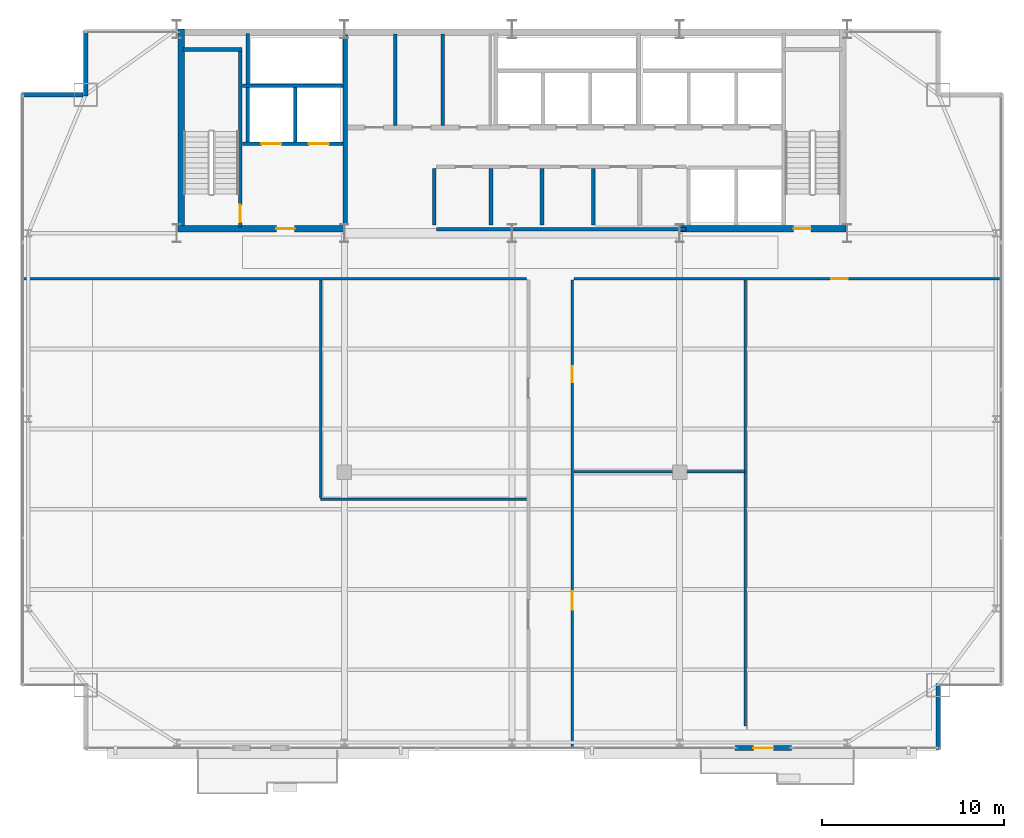
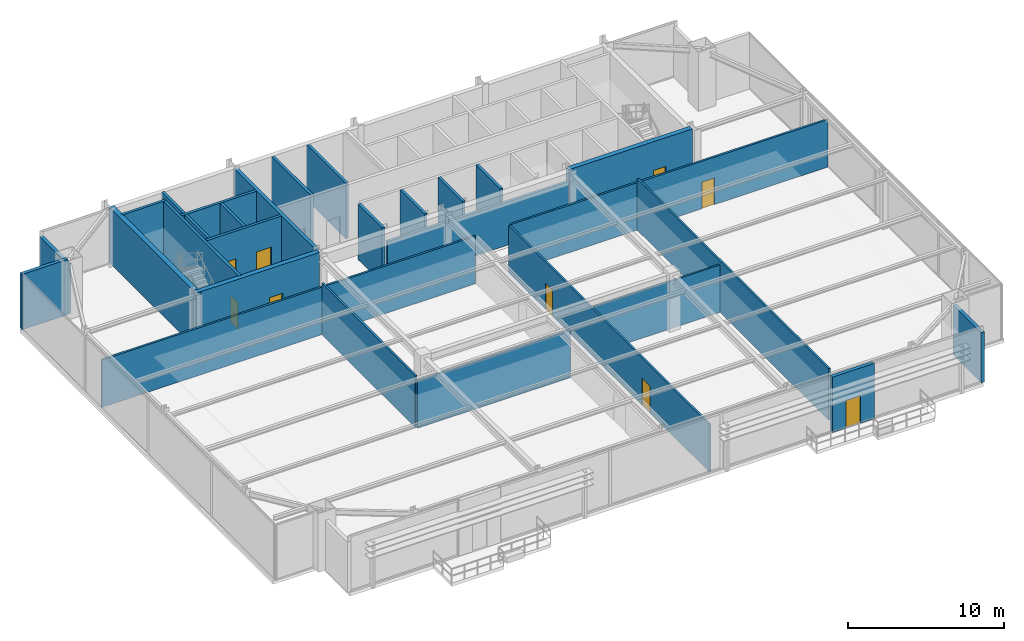
# One storey, part 21 of 25: 28 walls, 9 doors, 9 openings.
"""IFC4 building model written with IfcOpenShell, lengths in metres."""

from ifc_helpers import new_model, si_unit, direction, frame, frame_2d, origin, place, context, subcontext, project, spatial, rectangle, extrude, source, transform, mapped, material, layer, layer_set, type_object, type_shapes, element, fill, save


model = new_model("IFC4")

# Units and contexts
model_context = context("Model", 3, precision=1e-05, world=origin(), true_north=direction((0.0, 1.0)))
body_context = subcontext(model_context, "Body", "Model", "MODEL_VIEW")
ifc_project = project(units=[si_unit("LENGTHUNIT", "METRE"), si_unit("AREAUNIT", "SQUARE_METRE"), si_unit("VOLUMEUNIT", "CUBIC_METRE"), si_unit("PLANEANGLEUNIT", "RADIAN"), si_unit("MASSUNIT", "GRAM", prefix="KILO")], contexts=[model_context])

# Site, building, storey
site_placement = place(None, origin())
site = spatial("IfcSite", under=ifc_project, at=site_placement, CompositionType="ELEMENT")
building_placement = place(site_placement, origin())
building = spatial("IfcBuilding", under=site, at=building_placement, Name="Varnel Quay Broadcast Tower", CompositionType="ELEMENT")
storey_placement = place(building_placement, frame((0.0, 0.0, 191.39990234375)))
storey = spatial("IfcBuildingStorey", under=building, at=storey_placement, Name="L47", CompositionType="ELEMENT", Elevation=191.39990234375)

# Wall, opening, door
ifc_material_1 = material(Name="Concrete CSA A23.3 C50/60", Category="concrete")
ifc_layer_1 = layer(ifc_material_1, 0.199951171875, Name="Concrete CSA A23.3 C50/60")
ifc_layer_set_1 = layer_set([ifc_layer_1], Name="Concrete CSA A23.3 C50/60")
wall_type_1 = type_object("IfcWallType", Name="Wall_CoreShaftShear200", PredefinedType="SHEAR", material=ifc_layer_set_1)
wall_1_placement = place(storey_placement, frame((19.080078125, 35.949951171875, 0.0), z_axis=(0.0, 0.0, 1.0), x_axis=(0.0, 1.0, 0.0)))
wall_1 = element("IfcWall", 1, at=wall_1_placement, inside=storey, type_object=wall_type_1, Name="L47 Stair 1 East Structural Wall", PredefinedType="SHEAR", context=body_context, shape_type="SweptSolid", body=[
    extrude(rectangle(XDim=9.650146484375, YDim=0.199951171875, at=frame_2d((4.8251953125, 0.0))), origin(), (0.0, 0.0, 1.0), 4.35009765625),
])
opening_1_placement = place(wall_1_placement, frame((0.25, 0.0, 0.0)))
opening_1 = element("IfcOpeningElement", 2, at=opening_1_placement, cuts=wall_1, Name="Opening D-L47-S1", PredefinedType="OPENING", context=body_context, shape_type="SweptSolid", body=[
    extrude(rectangle(XDim=0.949951171875, YDim=2.10009765625, at=frame_2d((0.47509765625, 1.050048828125))), frame((0.0, 0.10986328125, 0.0), z_axis=(0.0, -1.0, 0.0), x_axis=(1.0, 0.0, 0.0)), (0.0, 0.0, 1.0), 0.219970703125),
])
ifc_material_2 = material(Name="Insulated Fire-Rated Hollow Steel Door", Category="steel")
door_type_1 = type_object("IfcDoorType", Name="Door_FireStair950", OperationType="NOTDEFINED", PredefinedType="DOOR", material=ifc_material_2)
shared_shape_1 = source(origin(), body_context, "Body", "SweptSolid", [
    extrude(rectangle(XDim=0.949951171875, YDim=2.10009765625, at=frame_2d((0.47509765625, 1.050048828125))), frame((0.0, 0.02490234375, 0.0), z_axis=(0.0, -1.0, 0.0), x_axis=(1.0, 0.0, 0.0)), (0.0, 0.0, 1.0), 0.050048828125),
])
type_shapes(door_type_1, [shared_shape_1])
door_1_placement = place(opening_1_placement, origin())
door_1 = element("IfcDoor", 3, at=door_1_placement, inside=storey, type_object=door_type_1, Name="L47 Stair 1 Fire Door", OperationType="SINGLE_SWING_RIGHT", OverallHeight=2.10009765625, OverallWidth=0.949951171875, PredefinedType="DOOR", context=body_context, shape_type="MappedRepresentation", body=[
    mapped(shared_shape_1, transform((0.0, 0.0, 0.0), x_axis=(1.0, 0.0, 0.0), y_axis=(0.0, 1.0, 0.0), z_axis=(0.0, 0.0, 1.0), scale=1.0)),
])
fill(opening_1, door_1)

# Wall
wall_2_placement = place(storey_placement, frame((15.949951171875, 45.679931640625, 0.0), z_axis=(0.0, 0.0, 1.0), x_axis=(1.0, 0.0, 0.0)))
element("IfcWall", 4, at=wall_2_placement, inside=storey, type_object=wall_type_1, Name="L47 Stair 1 North Structural Wall", PredefinedType="SHEAR", context=body_context, shape_type="SweptSolid", body=[
    extrude(rectangle(XDim=3.22998046875, YDim=0.199951171875, at=frame_2d((1.614990234375, 0.0))), origin(), (0.0, 0.0, 1.0), 4.35009765625),
])

# Wall, openings, doors
wall_3_placement = place(storey_placement, frame((19.199951171875, 40.5, 0.0), z_axis=(0.0, 0.0, 1.0), x_axis=(1.0, 0.0, 0.0)))
wall_3 = element("IfcWall", 5, at=wall_3_placement, inside=storey, type_object=wall_type_1, Name="L47 Firefighter Lift Shaft Front Wall", PredefinedType="SHEAR", context=body_context, shape_type="SweptSolid", body=[
    extrude(rectangle(XDim=5.52001953125, YDim=0.199951171875, at=frame_2d((2.760009765625, 0.0))), origin(), (0.0, 0.0, 1.0), 4.35009765625),
])
opening_2_placement = place(wall_3_placement, frame((1.050048828125, 0.0, 0.0)))
opening_2 = element("IfcOpeningElement", 6, at=opening_2_placement, cuts=wall_3, Name="Opening LD-L47-FE1", PredefinedType="OPENING", context=body_context, shape_type="SweptSolid", body=[
    extrude(rectangle(XDim=1.10009765625, YDim=2.179931640625, at=frame_2d((0.550048828125, 1.08984375))), frame((0.0, 0.10986328125, 0.0), z_axis=(0.0, -1.0, 0.0), x_axis=(1.0, 0.0, 0.0)), (0.0, 0.0, 1.0), 0.219970703125),
])
opening_3_placement = place(wall_3_placement, frame((3.64990234375, 0.0, 0.0)))
opening_3 = element("IfcOpeningElement", 7, at=opening_3_placement, cuts=wall_3, Name="Opening LD-L47-FE2", PredefinedType="OPENING", context=body_context, shape_type="SweptSolid", body=[
    extrude(rectangle(XDim=1.10009765625, YDim=2.179931640625, at=frame_2d((0.550048828125, 1.08984375))), frame((0.0, 0.10986328125, 0.0), z_axis=(0.0, -1.0, 0.0), x_axis=(1.0, 0.0, 0.0)), (0.0, 0.0, 1.0), 0.219970703125),
])
ifc_material_3 = material(Name="Brushed Bronze-Stainless Lift Car & Sliding Doors", Category="steel")
door_type_2 = type_object("IfcDoorType", Name="Door_LiftLanding1100", OperationType="SLIDING_TO_LEFT", PredefinedType="DOOR", material=ifc_material_3)
shared_shape_2 = source(origin(), body_context, "Body", "SweptSolid", [
    extrude(rectangle(XDim=1.10009765625, YDim=2.179931640625, at=frame_2d((0.550048828125, 1.08984375))), frame((0.0, 0.02490234375, 0.0), z_axis=(0.0, -1.0, 0.0), x_axis=(1.0, 0.0, 0.0)), (0.0, 0.0, 1.0), 0.050048828125),
])
type_shapes(door_type_2, [shared_shape_2])
door_2_placement = place(opening_2_placement, frame((1.10009765625, 0.0, 0.0), z_axis=(0.0, 0.0, 1.0), x_axis=(-1.0, 0.0, 0.0)))
door_2 = element("IfcDoor", 8, at=door_2_placement, inside=storey, type_object=door_type_2, Name="L47 Firefighter Lift FE-01 Landing Door", OperationType="SLIDING_TO_LEFT", OverallHeight=2.179931640625, OverallWidth=1.10009765625, PredefinedType="DOOR", context=body_context, shape_type="MappedRepresentation", body=[
    mapped(shared_shape_2, transform((0.0, 0.0, 0.0), x_axis=(1.0, 0.0, 0.0), y_axis=(0.0, 1.0, 0.0), z_axis=(0.0, 0.0, 1.0), scale=1.0)),
])
fill(opening_2, door_2)
door_3_placement = place(opening_3_placement, frame((1.10009765625, 0.0, 0.0), z_axis=(0.0, 0.0, 1.0), x_axis=(-1.0, 0.0, 0.0)))
door_3 = element("IfcDoor", 9, at=door_3_placement, inside=storey, type_object=door_type_2, Name="L47 Firefighter Lift FE-02 Landing Door", OperationType="SLIDING_TO_RIGHT", OverallHeight=2.179931640625, OverallWidth=1.10009765625, PredefinedType="DOOR", context=body_context, shape_type="MappedRepresentation", body=[
    mapped(shared_shape_2, transform((0.0, 0.0, 0.0), x_axis=(1.0, 0.0, 0.0), y_axis=(0.0, 1.0, 0.0), z_axis=(0.0, 0.0, 1.0), scale=1.0)),
])
fill(opening_3, door_3)

# Walls
wall_4_placement = place(storey_placement, frame((19.199951171875, 43.699951171875, 0.0), z_axis=(0.0, 0.0, 1.0), x_axis=(1.0, 0.0, 0.0)))
element("IfcWall", 10, at=wall_4_placement, inside=storey, type_object=wall_type_1, Name="L47 Firefighter Lift Shaft Rear Wall", PredefinedType="SHEAR", context=body_context, shape_type="SweptSolid", body=[
    extrude(rectangle(XDim=5.52001953125, YDim=0.199951171875, at=frame_2d((2.760009765625, 0.0))), origin(), (0.0, 0.0, 1.0), 4.35009765625),
])
wall_5_placement = place(storey_placement, frame((22.10009765625, 40.60009765625, 0.0), z_axis=(0.0, 0.0, 1.0), x_axis=(0.0, 1.0, 0.0)))
element("IfcWall", 11, at=wall_5_placement, inside=storey, type_object=wall_type_1, Name="L47 Firefighter Lift Shaft Divider", PredefinedType="SHEAR", context=body_context, shape_type="SweptSolid", body=[
    extrude(rectangle(XDim=3.0, YDim=0.199951171875, at=frame_2d((1.5, 0.0))), origin(), (0.0, 0.0, 1.0), 4.35009765625),
])
wall_6_placement = place(storey_placement, frame((19.5, 40.60009765625, 0.0), z_axis=(0.0, 0.0, 1.0), x_axis=(0.0, 1.0, 0.0)))
element("IfcWall", 12, at=wall_6_placement, inside=storey, type_object=wall_type_1, Name="L47 Firefighter Lift Shaft West Wall", PredefinedType="SHEAR", context=body_context, shape_type="SweptSolid", body=[
    extrude(rectangle(XDim=5.949951171875, YDim=0.199951171875, at=frame_2d((2.97509765625, 0.0))), origin(), (0.0, 0.0, 1.0), 4.35009765625),
])
ifc_layer_2 = layer(ifc_material_1, 0.25, Name="Concrete CSA A23.3 C50/60")
ifc_layer_set_2 = layer_set([ifc_layer_2], Name="Concrete CSA A23.3 C50/60")
wall_type_2 = type_object("IfcWallType", Name="Wall_CoreShaftShear250", PredefinedType="SHEAR", material=ifc_layer_set_2)
wall_7_placement = place(storey_placement, frame((24.85009765625, 36.050048828125, 0.0), z_axis=(0.0, 0.0, 1.0), x_axis=(0.0, 1.0, 0.0)))
element("IfcWall", 13, at=wall_7_placement, inside=storey, type_object=wall_type_2, Name="L47 Firefighting Lobby East Structural Wall", PredefinedType="SHEAR", context=body_context, shape_type="SweptSolid", body=[
    extrude(rectangle(XDim=10.449951171875, YDim=0.25, at=frame_2d((5.22509765625, 0.0))), origin(), (0.0, 0.0, 1.0), 4.35009765625),
])
ifc_layer_3 = layer(ifc_material_1, 0.35009765625, Name="Concrete CSA A23.3 C50/60")
ifc_layer_set_3 = layer_set([ifc_layer_3], Name="Concrete CSA A23.3 C50/60")
wall_type_3 = type_object("IfcWallType", Name="Wall_CoreShearInt350", PredefinedType="SHEAR", material=ifc_layer_set_3)
wall_8_placement = place(storey_placement, frame((15.844970703125, 35.669921875, 0.0), z_axis=(0.0, 0.0, 1.0), x_axis=(0.0, 1.0, 0.0)))
element("IfcWall", 14, at=wall_8_placement, inside=storey, type_object=wall_type_3, Name="L47 West Core Shear Wall", PredefinedType="SHEAR", context=body_context, shape_type="SweptSolid", body=[
    extrude(rectangle(XDim=11.130126953125, YDim=0.35009765625, at=frame_2d((5.56494140625, 0.0))), origin(), (0.0, 0.0, 1.0), 4.35009765625),
])

# Wall, opening, door
wall_9_placement = place(storey_placement, frame((15.669921875, 35.844970703125, 0.0), z_axis=(0.0, 0.0, 1.0), x_axis=(1.0, 0.0, 0.0)))
wall_9 = element("IfcWall", 15, at=wall_9_placement, inside=storey, type_object=wall_type_3, Name="L47 South-West Core Shear Wall", PredefinedType="SHEAR", context=body_context, shape_type="SweptSolid", body=[
    extrude(rectangle(XDim=9.130126953125, YDim=0.35009765625, at=frame_2d((4.56494140625, 0.0))), origin(), (0.0, 0.0, 1.0), 4.35009765625),
])
opening_4_placement = place(wall_9_placement, frame((5.39990234375, 0.0, 0.0)))
opening_4 = element("IfcOpeningElement", 16, at=opening_4_placement, cuts=wall_9, Name="Opening D-L47-FFL", PredefinedType="OPENING", context=body_context, shape_type="SweptSolid", body=[
    extrude(rectangle(XDim=1.0, YDim=2.10009765625, at=frame_2d((0.5, 1.050048828125))), frame((0.0, 0.18505859375, 0.0), z_axis=(0.0, -1.0, 0.0), x_axis=(1.0, 0.0, 0.0)), (0.0, 0.0, 1.0), 0.3701171875),
])
door_type_3 = type_object("IfcDoorType", Name="Door_FireLobby1000", OperationType="NOTDEFINED", PredefinedType="DOOR", material=ifc_material_2)
shared_shape_3 = source(origin(), body_context, "Body", "SweptSolid", [
    extrude(rectangle(XDim=1.0, YDim=2.10009765625, at=frame_2d((0.5, 1.050048828125))), frame((0.0, 0.02490234375, 0.0), z_axis=(0.0, -1.0, 0.0), x_axis=(1.0, 0.0, 0.0)), (0.0, 0.0, 1.0), 0.050048828125),
])
type_shapes(door_type_3, [shared_shape_3])
door_4_placement = place(opening_4_placement, origin())
door_4 = element("IfcDoor", 17, at=door_4_placement, inside=storey, type_object=door_type_3, Name="L47 Firefighting Lobby Door", OperationType="SINGLE_SWING_LEFT", OverallHeight=2.10009765625, OverallWidth=1.0, PredefinedType="DOOR", context=body_context, shape_type="MappedRepresentation", body=[
    mapped(shared_shape_3, transform((0.0, 0.0, 0.0), x_axis=(1.0, 0.0, 0.0), y_axis=(0.0, 1.0, 0.0), z_axis=(0.0, 0.0, 1.0), scale=1.0)),
])
fill(opening_4, door_4)

wall_10_placement = place(storey_placement, frame((43.199951171875, 35.844970703125, 0.0), z_axis=(0.0, 0.0, 1.0), x_axis=(1.0, 0.0, 0.0)))
wall_10 = element("IfcWall", 18, at=wall_10_placement, inside=storey, type_object=wall_type_3, Name="L47 South-East Core Shear Wall", PredefinedType="SHEAR", context=body_context, shape_type="SweptSolid", body=[
    extrude(rectangle(XDim=9.130126953125, YDim=0.35009765625, at=frame_2d((4.56494140625, 0.0))), origin(), (0.0, 0.0, 1.0), 4.35009765625),
])
opening_5_placement = place(wall_10_placement, frame((6.25, 0.0, 0.0)))
opening_5 = element("IfcOpeningElement", 19, at=opening_5_placement, cuts=wall_10, Name="Opening D-L47-S2", PredefinedType="OPENING", context=body_context, shape_type="SweptSolid", body=[
    extrude(rectangle(XDim=0.949951171875, YDim=2.10009765625, at=frame_2d((0.47509765625, 1.050048828125))), frame((0.0, 0.18505859375, 0.0), z_axis=(0.0, -1.0, 0.0), x_axis=(1.0, 0.0, 0.0)), (0.0, 0.0, 1.0), 0.3701171875),
])
door_5_placement = place(opening_5_placement, origin())
door_5 = element("IfcDoor", 20, at=door_5_placement, inside=storey, type_object=door_type_1, Name="L47 Stair 2 Fire Door", OperationType="SINGLE_SWING_RIGHT", OverallHeight=2.10009765625, OverallWidth=0.949951171875, PredefinedType="DOOR", context=body_context, shape_type="MappedRepresentation", body=[
    mapped(shared_shape_1, transform((0.0, 0.0, 0.0), x_axis=(1.0, 0.0, 0.0), y_axis=(0.0, 1.0, 0.0), z_axis=(0.0, 0.0, 1.0), scale=1.0)),
])
fill(opening_5, door_5)

ifc_material_4 = material(Name="Precast Architectural Concrete C40/50", Category="concrete")
ifc_layer_4 = layer(ifc_material_4, 0.25, Name="Precast Architectural Concrete C40/50")
ifc_layer_set_4 = layer_set([ifc_layer_4], Name="Precast Architectural Concrete C40/50")
wall_type_4 = type_object("IfcWallType", Name="Wall_ExtTerrace250", PredefinedType="SOLIDWALL", material=ifc_layer_set_4)
wall_11_placement = place(storey_placement, frame((46.25, 7.35009765625, 0.0), z_axis=(0.0, 0.0, 1.0), x_axis=(1.0, 0.0, 0.0)))
wall_11 = element("IfcWall", 21, at=wall_11_placement, inside=storey, type_object=wall_type_4, Name="L47 Terrace Access Wall 2", PredefinedType="SOLIDWALL", context=body_context, shape_type="SweptSolid", body=[
    extrude(rectangle(XDim=3.10009765625, YDim=0.25, at=frame_2d((1.550048828125, 0.0))), origin(), (0.0, 0.0, 1.0), 4.330078125),
])
opening_6_placement = place(wall_11_placement, frame((1.0, 0.0, 0.0)))
opening_6 = element("IfcOpeningElement", 22, at=opening_6_placement, cuts=wall_11, Name="Opening TD-472", PredefinedType="OPENING", context=body_context, shape_type="SweptSolid", body=[
    extrude(rectangle(XDim=1.10009765625, YDim=2.14990234375, at=frame_2d((0.550048828125, 1.074951171875))), frame((0.0, 0.135009765625, 0.0), z_axis=(0.0, -1.0, 0.0), x_axis=(1.0, 0.0, 0.0)), (0.0, 0.0, 1.0), 0.27001953125),
])
ifc_material_5 = material(Name="Anodised Bronze Aluminium 6063-T6", Category="aluminium")
door_type_4 = type_object("IfcDoorType", Name="Door_ExtTerrace1100", OperationType="NOTDEFINED", PredefinedType="DOOR", material=ifc_material_5)
shared_shape_4 = source(origin(), body_context, "Body", "SweptSolid", [
    extrude(rectangle(XDim=1.10009765625, YDim=2.14990234375, at=frame_2d((0.550048828125, 1.074951171875))), frame((0.0, 0.02490234375, 0.0), z_axis=(0.0, -1.0, 0.0), x_axis=(1.0, 0.0, 0.0)), (0.0, 0.0, 1.0), 0.050048828125),
])
type_shapes(door_type_4, [shared_shape_4])
door_6_placement = place(opening_6_placement, frame((1.10009765625, 0.0, 0.0), z_axis=(0.0, 0.0, 1.0), x_axis=(-1.0, 0.0, 0.0)))
door_6 = element("IfcDoor", 23, at=door_6_placement, inside=storey, type_object=door_type_4, Name="L47 Terrace Door TD-472", OperationType="SINGLE_SWING_RIGHT", OverallHeight=2.14990234375, OverallWidth=1.10009765625, PredefinedType="DOOR", context=body_context, shape_type="MappedRepresentation", body=[
    mapped(shared_shape_4, transform((0.0, 0.0, 0.0), x_axis=(1.0, 0.0, 0.0), y_axis=(0.0, 1.0, 0.0), z_axis=(0.0, 0.0, 1.0), scale=1.0)),
])
fill(opening_6, door_6)

# Walls
wall_12_placement = place(storey_placement, frame((57.39990234375, 7.280029296875, 0.0), z_axis=(0.0, 0.0, 1.0), x_axis=(0.0, 1.0, 0.0)))
element("IfcWall", 24, at=wall_12_placement, inside=storey, type_object=wall_type_4, Name="L47 Mega-Column Notch Cladding Wall NSE2", PredefinedType="SOLIDWALL", context=body_context, shape_type="SweptSolid", body=[
    extrude(rectangle(XDim=3.599853515625, YDim=0.25, at=frame_2d((1.7998046875, 0.0))), origin(), (0.0, 0.0, 1.0), 3.908203125),
])
wall_13_placement = place(storey_placement, frame((7.080078125, 43.199951171875, 0.0), z_axis=(0.0, 0.0, 1.0), x_axis=(1.0, 0.0, 0.0)))
element("IfcWall", 25, at=wall_13_placement, inside=storey, type_object=wall_type_4, Name="L47 Mega-Column Notch Cladding Wall NNW1", PredefinedType="SOLIDWALL", context=body_context, shape_type="SweptSolid", body=[
    extrude(rectangle(XDim=3.389892578125, YDim=0.25, at=frame_2d((1.69482421875, 0.0))), origin(), (0.0, 0.0, 1.0), 4.330078125),
])
wall_14_placement = place(storey_placement, frame((10.60009765625, 43.1201171875, 0.0), z_axis=(0.0, 0.0, 1.0), x_axis=(0.0, 1.0, 0.0)))
element("IfcWall", 26, at=wall_14_placement, inside=storey, type_object=wall_type_4, Name="L47 Mega-Column Notch Cladding Wall NNW2", PredefinedType="SOLIDWALL", context=body_context, shape_type="SweptSolid", body=[
    extrude(rectangle(XDim=3.599853515625, YDim=0.25, at=frame_2d((1.7998046875, 0.0))), origin(), (0.0, 0.0, 1.0), 3.908203125),
])
ifc_material_6 = material(Name="Concrete Blockwork Fire Enclosure C40/50", Category="masonry")
ifc_layer_5 = layer(ifc_material_6, 0.199951171875, Name="Concrete Blockwork Fire Enclosure C40/50")
ifc_layer_set_5 = layer_set([ifc_layer_5], Name="Concrete Blockwork Fire Enclosure C40/50")
wall_type_5 = type_object("IfcWallType", Name="Wall_FireShaft200", PredefinedType="SOLIDWALL", material=ifc_layer_set_5)
wall_15_placement = place(storey_placement, frame((29.85009765625, 35.824951171875, 0.0), z_axis=(0.0, 0.0, 1.0), x_axis=(1.0, 0.0, 0.0)))
element("IfcWall", 27, at=wall_15_placement, inside=storey, type_object=wall_type_5, Name="L47 Accessible Washroom Partition 1", PredefinedType="SOLIDWALL", context=body_context, shape_type="SweptSolid", body=[
    extrude(rectangle(XDim=13.699951171875, YDim=0.199951171875, at=frame_2d((6.85009765625, 0.0))), origin(), (0.0, 0.0, 1.0), 3.375),
])
for number, where, z_axis, x_axis, name in (
    (28, (27.60009765625, 41.5, 0.0), (0.0, 0.0, 1.0), (0.0, 1.0, 0.0), "L47 Ingest Rack Bay A Partition 16"),
    (29, (30.199951171875, 41.5, 0.0), (0.0, 0.0, 1.0), (0.0, 1.0, 0.0), "L47 Fiber Patch Bay Partition 17"),
):
    element("IfcWall", number, at=place(storey_placement, frame(where, z_axis=z_axis, x_axis=x_axis)), inside=storey, type_object=wall_type_5, Name=name, PredefinedType="SOLIDWALL", context=body_context, shape_type="SweptSolid", body=[
        extrude(rectangle(XDim=5.02001953125, YDim=0.199951171875, at=frame_2d((2.510009765625, 0.0))), origin(), (0.0, 0.0, 1.0), 4.330078125),
    ])
ifc_material_7 = material(Name="Steel-Stud Fire-Rated Acoustic Gypsum Partition Assembly", Category="steel")
ifc_layer_6 = layer(ifc_material_7, 0.139892578125, Name="Steel-Stud Fire-Rated Acoustic Gypsum Partition Assembly")
ifc_layer_set_6 = layer_set([ifc_layer_6], Name="Steel-Stud Fire-Rated Acoustic Gypsum Partition Assembly")
wall_type_6 = type_object("IfcWallType", Name="Wall_Partition140", PredefinedType="PARTITIONING", material=ifc_layer_set_6)
wall_16_placement = place(storey_placement, frame((46.800048828125, 8.550048828125, 0.0), z_axis=(0.0, 0.0, 1.0), x_axis=(0.0, 1.0, 0.0)))
element("IfcWall", 30, at=wall_16_placement, inside=storey, type_object=wall_type_6, Name="L47 Correspondents' Sky Lounge Partition 12", PredefinedType="PARTITIONING", context=body_context, shape_type="SweptSolid", body=[
    extrude(rectangle(XDim=24.474853515625, YDim=0.139892578125, at=frame_2d((12.2373046875, 0.0))), origin(), (0.0, 0.0, 1.0), 4.022216796875),
])
wall_17_placement = place(storey_placement, frame((37.39990234375, 22.5, 0.0), z_axis=(0.0, 0.0, 1.0), x_axis=(1.0, 0.0, 0.0)))
element("IfcWall", 31, at=wall_17_placement, inside=storey, type_object=wall_type_6, Name="L47 Correspondents' Sky Lounge Partition 13", PredefinedType="PARTITIONING", context=body_context, shape_type="SweptSolid", body=[
    extrude(rectangle(XDim=9.400146484375, YDim=0.139892578125, at=frame_2d((4.7001953125, 0.0))), origin(), (0.0, 0.0, 1.0), 3.708984375),
])

# Wall, openings, doors
wall_18_placement = place(storey_placement, frame((37.300048828125, 7.3798828125, 0.0), z_axis=(0.0, 0.0, 1.0), x_axis=(0.0, 1.0, 0.0)))
wall_18 = element("IfcWall", 32, at=wall_18_placement, inside=storey, type_object=wall_type_6, Name="L47 Correspondents' Sky Lounge Partition 14", PredefinedType="PARTITIONING", context=body_context, shape_type="SweptSolid", body=[
    extrude(rectangle(XDim=25.64501953125, YDim=0.139892578125, at=frame_2d((12.822509765625, 0.0))), origin(), (0.0, 0.0, 1.0), 3.708984375),
])
opening_7_placement = place(wall_18_placement, frame((7.56494140625, 0.0, 0.0)))
opening_7 = element("IfcOpeningElement", 33, at=opening_7_placement, cuts=wall_18, Name="Opening D-L47-08", PredefinedType="OPENING", context=body_context, shape_type="SweptSolid", body=[
    extrude(rectangle(XDim=1.0, YDim=2.10009765625, at=frame_2d((0.5, 1.050048828125))), frame((0.0, 0.080078125, 0.0), z_axis=(0.0, -1.0, 0.0), x_axis=(1.0, 0.0, 0.0)), (0.0, 0.0, 1.0), 0.159912109375),
])
opening_8_placement = place(wall_18_placement, frame((20.030029296875, 0.0, 0.0)))
opening_8 = element("IfcOpeningElement", 34, at=opening_8_placement, cuts=wall_18, Name="Opening D-L47-09", PredefinedType="OPENING", context=body_context, shape_type="SweptSolid", body=[
    extrude(rectangle(XDim=0.8798828125, YDim=2.06005859375, at=frame_2d((0.43994140625, 1.030029296875))), frame((0.0, 0.080078125, 0.0), z_axis=(0.0, -1.0, 0.0), x_axis=(1.0, 0.0, 0.0)), (0.0, 0.0, 1.0), 0.159912109375),
])
ifc_material_8 = material(Name="Solid-Core Fire-Rated Acoustic Oak Veneer Door", Category="wood")
door_type_5 = type_object("IfcDoorType", Name="Door_Booth880", OperationType="NOTDEFINED", PredefinedType="DOOR", material=ifc_material_8)
shared_shape_5 = source(origin(), body_context, "Body", "SweptSolid", [
    extrude(rectangle(XDim=0.8798828125, YDim=2.06005859375, at=frame_2d((0.43994140625, 1.030029296875))), frame((0.0, 0.02490234375, 0.0), z_axis=(0.0, -1.0, 0.0), x_axis=(1.0, 0.0, 0.0)), (0.0, 0.0, 1.0), 0.050048828125),
])
type_shapes(door_type_5, [shared_shape_5])
door_7_placement = place(opening_8_placement, frame((0.8798828125, 0.0, 0.0), z_axis=(0.0, 0.0, 1.0), x_axis=(-1.0, 0.0, 0.0)))
door_7 = element("IfcDoor", 35, at=door_7_placement, inside=storey, type_object=door_type_5, Name="L47 Sky Barista & Pantry Door D-L47-09", OperationType="SINGLE_SWING_LEFT", OverallHeight=2.06005859375, OverallWidth=0.8798828125, PredefinedType="DOOR", context=body_context, shape_type="MappedRepresentation", body=[
    mapped(shared_shape_5, transform((0.0, 0.0, 0.0), x_axis=(1.0, 0.0, 0.0), y_axis=(0.0, 1.0, 0.0), z_axis=(0.0, 0.0, 1.0), scale=1.0)),
])
fill(opening_8, door_7)
door_type_6 = type_object("IfcDoorType", Name="Door_Exec1000", OperationType="NOTDEFINED", PredefinedType="DOOR", material=ifc_material_8)
shared_shape_6 = source(origin(), body_context, "Body", "SweptSolid", [
    extrude(rectangle(XDim=1.0, YDim=2.10009765625, at=frame_2d((0.5, 1.050048828125))), frame((0.0, 0.02490234375, 0.0), z_axis=(0.0, -1.0, 0.0), x_axis=(1.0, 0.0, 0.0)), (0.0, 0.0, 1.0), 0.050048828125),
])
type_shapes(door_type_6, [shared_shape_6])
door_8_placement = place(opening_7_placement, frame((1.0, 0.0, 0.0), z_axis=(0.0, 0.0, 1.0), x_axis=(-1.0, 0.0, 0.0)))
door_8 = element("IfcDoor", 36, at=door_8_placement, inside=storey, type_object=door_type_6, Name="L47 Correspondents' Sky Lounge Door D-L47-08", OperationType="SINGLE_SWING_RIGHT", OverallHeight=2.10009765625, OverallWidth=1.0, PredefinedType="DOOR", context=body_context, shape_type="MappedRepresentation", body=[
    mapped(shared_shape_6, transform((0.0, 0.0, 0.0), x_axis=(1.0, 0.0, 0.0), y_axis=(0.0, 1.0, 0.0), z_axis=(0.0, 0.0, 1.0), scale=1.0)),
])
fill(opening_7, door_8)

# Walls
ifc_layer_7 = layer(ifc_material_7, 0.14990234375, Name="Steel-Stud Fire-Rated Acoustic Gypsum Partition Assembly")
ifc_layer_set_7 = layer_set([ifc_layer_7], Name="Steel-Stud Fire-Rated Acoustic Gypsum Partition Assembly")
wall_type_7 = type_object("IfcWallType", Name="Wall_Partition150", PredefinedType="PARTITIONING", material=ifc_layer_set_7)
wall_19_placement = place(storey_placement, frame((23.5, 21.0, 0.0), z_axis=(0.0, 0.0, 1.0), x_axis=(1.0, 0.0, 0.0)))
element("IfcWall", 37, at=wall_19_placement, inside=storey, type_object=wall_type_7, Name="L47 Mid-to-High Sky Transfer Hall Partition 9", PredefinedType="PARTITIONING", context=body_context, shape_type="SweptSolid", body=[
    extrude(rectangle(XDim=11.300048828125, YDim=0.14990234375, at=frame_2d((5.64990234375, 0.0))), origin(), (0.0, 0.0, 1.0), 3.708984375),
])
wall_20_placement = place(storey_placement, frame((23.5, 21.074951171875, 0.0), z_axis=(0.0, 0.0, 1.0), x_axis=(0.0, 1.0, 0.0)))
element("IfcWall", 38, at=wall_20_placement, inside=storey, type_object=wall_type_7, Name="L47 Mid-to-High Sky Transfer Hall Partition 10", PredefinedType="PARTITIONING", context=body_context, shape_type="SweptSolid", body=[
    extrude(rectangle(XDim=11.949951171875, YDim=0.14990234375, at=frame_2d((5.97509765625, 0.0))), origin(), (0.0, 0.0, 1.0), 4.022216796875),
])
wall_21_placement = place(storey_placement, frame((7.179931640625, 33.10009765625, 0.0), z_axis=(0.0, 0.0, 1.0), x_axis=(1.0, 0.0, 0.0)))
element("IfcWall", 39, at=wall_21_placement, inside=storey, type_object=wall_type_7, Name="L47 Mid-to-High Sky Transfer Hall Partition 11", PredefinedType="PARTITIONING", context=body_context, shape_type="SweptSolid", body=[
    extrude(rectangle(XDim=27.6201171875, YDim=0.14990234375, at=frame_2d((13.81005859375, 0.0))), origin(), (0.0, 0.0, 1.0), 3.708984375),
])

# Wall, opening, door
wall_22_placement = place(storey_placement, frame((37.39990234375, 33.10009765625, 0.0), z_axis=(0.0, 0.0, 1.0), x_axis=(1.0, 0.0, 0.0)))
wall_22 = element("IfcWall", 40, at=wall_22_placement, inside=storey, type_object=wall_type_7, Name="L47 Sky Barista & Pantry Partition 15", PredefinedType="PARTITIONING", context=body_context, shape_type="SweptSolid", body=[
    extrude(rectangle(XDim=23.420166015625, YDim=0.14990234375, at=frame_2d((11.7099609375, 0.0))), origin(), (0.0, 0.0, 1.0), 3.708984375),
])
opening_9_placement = place(wall_22_placement, frame((14.114990234375, 0.0, 0.0)))
opening_9 = element("IfcOpeningElement", 41, at=opening_9_placement, cuts=wall_22, Name="Opening D-L47-10", PredefinedType="OPENING", context=body_context, shape_type="SweptSolid", body=[
    extrude(rectangle(XDim=0.919921875, YDim=2.080078125, at=frame_2d((0.4599609375, 1.0400390625))), frame((0.0, 0.0849609375, 0.0), z_axis=(0.0, -1.0, 0.0), x_axis=(1.0, 0.0, 0.0)), (0.0, 0.0, 1.0), 0.169921875),
])
door_type_7 = type_object("IfcDoorType", Name="Door_Office920", OperationType="NOTDEFINED", PredefinedType="DOOR", material=ifc_material_8)
shared_shape_7 = source(origin(), body_context, "Body", "SweptSolid", [
    extrude(rectangle(XDim=0.919921875, YDim=2.080078125, at=frame_2d((0.4599609375, 1.0400390625))), frame((0.0, 0.02490234375, 0.0), z_axis=(0.0, -1.0, 0.0), x_axis=(1.0, 0.0, 0.0)), (0.0, 0.0, 1.0), 0.050048828125),
])
type_shapes(door_type_7, [shared_shape_7])
door_9_placement = place(opening_9_placement, frame((0.919921875, 0.0, 0.0), z_axis=(0.0, 0.0, 1.0), x_axis=(-1.0, 0.0, 0.0)))
door_9 = element("IfcDoor", 42, at=door_9_placement, inside=storey, type_object=door_type_7, Name="L47 High-Zone Concierge Office Door D-L47-10", OperationType="SINGLE_SWING_RIGHT", OverallHeight=2.080078125, OverallWidth=0.919921875, PredefinedType="DOOR", context=body_context, shape_type="MappedRepresentation", body=[
    mapped(shared_shape_7, transform((0.0, 0.0, 0.0), x_axis=(1.0, 0.0, 0.0), y_axis=(0.0, 1.0, 0.0), z_axis=(0.0, 0.0, 1.0), scale=1.0)),
])
fill(opening_9, door_9)

# Walls
ifc_material_9 = material(Name="Fire-Rated Moisture-Resistant Plumbing Chase Partition")
ifc_layer_8 = layer(ifc_material_9, 0.199951171875, Name="Fire-Rated Moisture-Resistant Plumbing Chase Partition")
ifc_layer_set_8 = layer_set([ifc_layer_8], Name="Fire-Rated Moisture-Resistant Plumbing Chase Partition")
wall_type_8 = type_object("IfcWallType", Name="Wall_Plumbing200", PredefinedType="PLUMBINGWALL", material=ifc_layer_set_8)
for number, where, z_axis, x_axis, name in (
    (43, (32.85009765625, 36.050048828125, 0.0), (0.0, 0.0, 1.0), (0.0, 1.0, 0.0), "L47 Accessible Washroom Partition 2"),
    (44, (29.72509765625, 36.050048828125, 0.0), (0.0, 0.0, 1.0), (0.0, 1.0, 0.0), "L47 Accessible Washroom Partition 4"),
    (45, (35.64990234375, 36.050048828125, 0.0), (0.0, 0.0, 1.0), (0.0, 1.0, 0.0), "L47 West Gender-Neutral Washroom Partition 5"),
    (46, (38.449951171875, 36.050048828125, 0.0), (0.0, 0.0, 1.0), (0.0, 1.0, 0.0), "L47 East Staff Washroom Partition 6"),
):
    element("IfcWall", number, at=place(storey_placement, frame(where, z_axis=z_axis, x_axis=x_axis)), inside=storey, type_object=wall_type_8, Name=name, PredefinedType="PLUMBINGWALL", context=body_context, shape_type="SweptSolid", body=[
        extrude(rectangle(XDim=3.099853515625, YDim=0.199951171875, at=frame_2d((1.5498046875, 0.0))), origin(), (0.0, 0.0, 1.0), 4.330078125),
    ])

save(model, "model.ifc")
